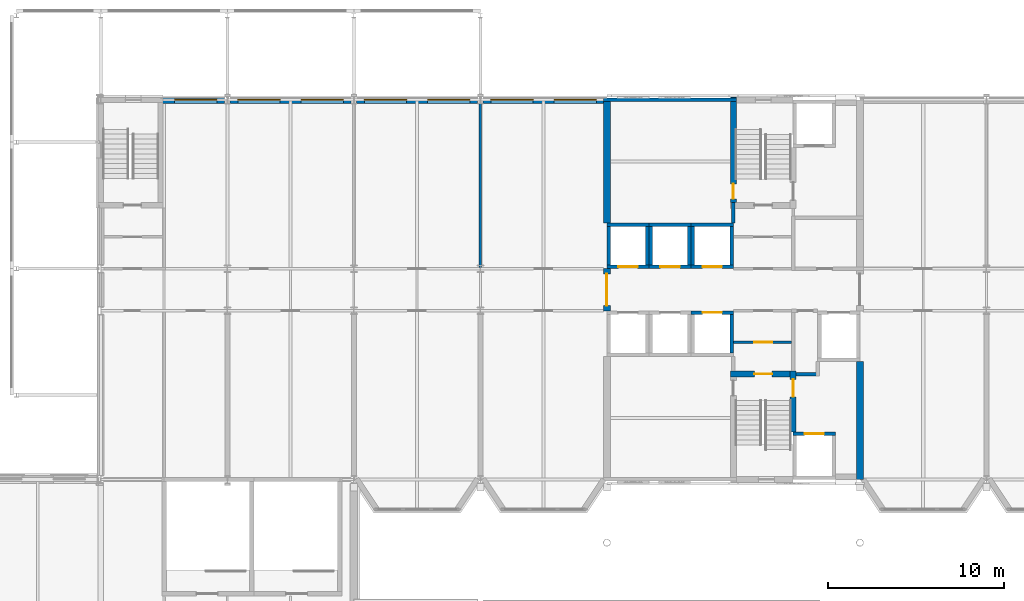
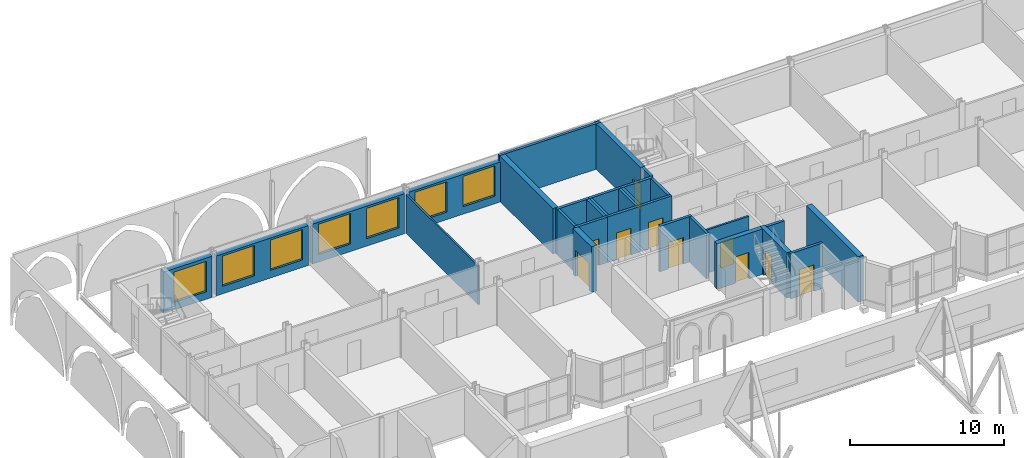
# One storey, part 98 of 142: 30 walls, 10 doors, 7 windows, 17 openings.
"""IFC4 building model written with IfcOpenShell, lengths in metres."""

import ifcopenshell
import ifcopenshell.guid

model = None  # the IFC model being written
_history = None  # IfcOwnerHistory: only IFC2X3 demands one
_inside = {}  # id of a spatial element -> (the spatial element, [elements in it])
_under = {}  # id of a project, library or spatial element -> (it, [spatial elements below it])
_declared = {}  # id of a project -> (the project, [libraries it declares])
_typed = {}  # id of a type object -> (the type object, [elements of that type])
_made_of = {}  # id of a material, layer set ... -> (it, [elements and type objects made of it])


def new_model(schema):
    """Start an empty IFC model of exactly this schema.

    Asked for "IFC4X3", IfcOpenShell would pick the latest addendum, in which some entities
    have other attributes; the version numbers below select the first issue.
    IFC2X3 requires an IfcOwnerHistory on every rooted entity: one is made here for all.
    """
    global model, _history
    if schema == "IFC4X3":
        model = ifcopenshell.file(schema_version=(4, 3, 0, 0))
    else:
        model = ifcopenshell.file(schema=schema)
    _inside.clear()
    _under.clear()
    _declared.clear()
    _typed.clear()
    _made_of.clear()
    _history = None
    if model.schema == "IFC2X3":
        org = make("IfcOrganization", Name="unknown")
        user = make(
            "IfcPersonAndOrganization",
            ThePerson=make("IfcPerson", FamilyName="unknown"),
            TheOrganization=org,
        )
        app = make(
            "IfcApplication",
            ApplicationDeveloper=org,
            Version="unknown",
            ApplicationFullName="unknown",
            ApplicationIdentifier="unknown",
        )
        _history = make(
            "IfcOwnerHistory",
            OwningUser=user,
            OwningApplication=app,
            ChangeAction="ADDED",
            CreationDate=0,
        )
    return model


def make(cls, **values):
    """One entity of the class cls with the attributes given. An attribute that is None is left unset."""
    return model.create_entity(
        cls, **{name: value for name, value in values.items() if value is not None}
    )


def rooted(cls, **values):
    """An entity with a GlobalId (a new one), such as an element, a storey or a relation."""
    return make(cls, GlobalId=ifcopenshell.guid.new(), OwnerHistory=_history, **values)


def si_unit(unit_type, name, prefix=None):
    """IfcSIUnit, for example si_unit("LENGTHUNIT", "METRE", prefix="MILLI")."""
    return make("IfcSIUnit", UnitType=unit_type, Prefix=prefix, Name=name)


def assignment(units):
    """IfcUnitAssignment: the units of a project."""
    return None if units is None else make("IfcUnitAssignment", Units=units)


def point(xyz):
    """IfcCartesianPoint."""
    return None if xyz is None else make("IfcCartesianPoint", Coordinates=xyz)


def direction(xyz):
    """IfcDirection."""
    return None if xyz is None else make("IfcDirection", DirectionRatios=xyz)


def frame(location, z_axis=None, x_axis=None):
    """IfcAxis2Placement3D, a coordinate frame: its origin and axes. An axis left out is left unset."""
    return make(
        "IfcAxis2Placement3D",
        Location=point(location),
        Axis=direction(z_axis),
        RefDirection=direction(x_axis),
    )


def frame_2d(location, x_axis=None):
    """IfcAxis2Placement2D, a coordinate frame in the plane: its origin and x axis."""
    return make(
        "IfcAxis2Placement2D", Location=point(location), RefDirection=direction(x_axis)
    )


def origin():
    """The frame at (0, 0, 0) with its axes left unset."""
    return frame((0.0, 0.0, 0.0))


def place(relative_to, where):
    """IfcLocalPlacement: puts the frame where relative to a parent placement (None: the world)."""
    return make(
        "IfcLocalPlacement", PlacementRelTo=relative_to, RelativePlacement=where
    )


def context(
    kind, dimensions, precision=None, world=None, true_north=None, identifier=None
):
    """IfcGeometricRepresentationContext, for example the 3D "Model" context."""
    return make(
        "IfcGeometricRepresentationContext",
        ContextIdentifier=identifier,
        ContextType=kind,
        CoordinateSpaceDimension=dimensions,
        Precision=precision,
        WorldCoordinateSystem=world,
        TrueNorth=true_north,
    )


def subcontext(parent, identifier, kind, view, scale=None):
    """IfcGeometricRepresentationSubContext, for example "Body" below "Model"."""
    return make(
        "IfcGeometricRepresentationSubContext",
        ContextIdentifier=identifier,
        ContextType=kind,
        ParentContext=parent,
        TargetScale=scale,
        TargetView=view,
    )


def project(units=None, contexts=None):
    """IfcProject with its units and contexts."""
    return rooted(
        "IfcProject",
        Name="project",
        RepresentationContexts=contexts,
        UnitsInContext=assignment(units),
    )


def spatial(cls, under=None, at=None, **own):
    """A site, building, storey or space (cls), placed at a placement, below another one or the project."""
    s = rooted(cls, ObjectPlacement=at, **own)
    if under is not None:
        _under.setdefault(under.id(), (under, []))[1].append(s)
    return s


def profile(cls, at=None, kind="AREA", **sizes):
    """A parametric profile (cls). Its sizes go by their IFC names, for example OverallWidth=200.0."""
    return make(cls, ProfileType=kind, Position=at, **sizes)


def rectangle(**sizes):
    """IfcRectangleProfileDef."""
    return profile("IfcRectangleProfileDef", **sizes)


def extrude(swept, where, along, depth):
    """IfcExtrudedAreaSolid: the profile swept, set in the frame where, extruded along a direction by depth."""
    return make(
        "IfcExtrudedAreaSolid",
        SweptArea=swept,
        Position=where,
        ExtrudedDirection=direction(along),
        Depth=depth,
    )


def shape(context_of_items, identifier, shape_type, items):
    """IfcShapeRepresentation: the items that make up one representation, for example the "Body"."""
    return make(
        "IfcShapeRepresentation",
        ContextOfItems=context_of_items,
        RepresentationIdentifier=identifier,
        RepresentationType=shape_type,
        Items=items,
    )


def material(Name=None, Category=None):
    """IfcMaterial."""
    return make("IfcMaterial", Name=Name, Category=Category)


def layer(
    of_material, thickness, ventilated=None, Name=None, Category=None, Priority=None
):
    """IfcMaterialLayer: one layer of a wall or slab, of a material (None: an air gap)."""
    return make(
        "IfcMaterialLayer",
        Material=of_material,
        LayerThickness=thickness,
        IsVentilated=ventilated,
        Name=Name,
        Category=Category,
        Priority=Priority,
    )


def layer_set(layers, Name=None):
    """IfcMaterialLayerSet."""
    return make("IfcMaterialLayerSet", MaterialLayers=layers, LayerSetName=Name)


def made_of(thing, what):
    """Note that an element or type object is made of a material, layer set ...; save() writes the relation."""
    if what is not None:
        _made_of.setdefault(what.id(), (what, []))[1].append(thing)
    return thing


def type_object(cls, material=None, **own):
    """A type object (cls), such as IfcWallType, which elements share."""
    return made_of(rooted(cls, **own), material)


def element(
    cls,
    number,
    at=None,
    inside=None,
    cuts=None,
    type_object=None,
    material=None,
    context=None,
    identifier="Body",
    shape_type=None,
    held_by="IfcProductDefinitionShape",
    body=None,
    shapes=None,
    **own,
):
    """One element of the class cls, such as IfcWall. Its Tag is "e" and its number.

    at: its placement. inside: the storey or other place that contains it. cuts: it is an
    opening in that element (IfcRelVoidsElement). A single representation is given by context,
    identifier, shape_type and body (its items); several are given by shapes. held_by: the class
    of the entity that holds the representations. save() writes the other relations.
    """
    e = rooted(cls, Tag="e%d" % number, ObjectPlacement=at, **own)
    if body is not None:
        shapes = [shape(context, identifier, shape_type, body)]
    if shapes is not None:
        e.Representation = make(held_by, Representations=shapes)
    if inside is not None:
        _inside.setdefault(inside.id(), (inside, []))[1].append(e)
    if cuts is not None:
        rooted(
            "IfcRelVoidsElement", RelatingBuildingElement=cuts, RelatedOpeningElement=e
        )
    if type_object is not None:
        _typed.setdefault(type_object.id(), (type_object, []))[1].append(e)
    return made_of(e, material)


def fill(opening, filler):
    """IfcRelFillsElement: the door or window that sits in an opening."""
    return rooted(
        "IfcRelFillsElement",
        RelatingOpeningElement=opening,
        RelatedBuildingElement=filler,
    )


def aggregate(whole, parts):
    """IfcRelAggregates: a whole, such as a stair, and the parts it consists of."""
    return rooted("IfcRelAggregates", RelatingObject=whole, RelatedObjects=parts)


def save(model, path):
    """Write the relations noted so far, then the file.

    IfcRelAggregates (storeys below a building ...), IfcRelContainedInSpatialStructure (elements
    in a storey), IfcRelDefinesByType, IfcRelAssociatesMaterial and IfcRelDeclares: one each for
    every whole, place, type object, material and project.
    """
    for whole, parts in _under.values():
        aggregate(whole, parts)
    for where, things in _inside.values():
        rooted(
            "IfcRelContainedInSpatialStructure",
            RelatedElements=things,
            RelatingStructure=where,
        )
    for kind, things in _typed.values():
        rooted("IfcRelDefinesByType", RelatedObjects=things, RelatingType=kind)
    for what, things in _made_of.values():
        rooted("IfcRelAssociatesMaterial", RelatedObjects=things, RelatingMaterial=what)
    for by, libraries in _declared.values():
        rooted("IfcRelDeclares", RelatingContext=by, RelatedDefinitions=libraries)
    model.write(path)


model = new_model("IFC4")

# Units and contexts
model_context = context("Model", 3, precision=1e-05, world=origin(), true_north=direction((0.0, 1.0)))
body_context = subcontext(model_context, "Body", "Model", "MODEL_VIEW")
ifc_project = project(units=[si_unit("LENGTHUNIT", "METRE"), si_unit("AREAUNIT", "SQUARE_METRE"), si_unit("VOLUMEUNIT", "CUBIC_METRE"), si_unit("PLANEANGLEUNIT", "RADIAN"), si_unit("MASSUNIT", "GRAM", prefix="KILO")], contexts=[model_context])

# Site, building, storey
site_placement = place(None, origin())
site = spatial("IfcSite", under=ifc_project, at=site_placement, CompositionType="ELEMENT")
building_placement = place(site_placement, origin())
building = spatial("IfcBuilding", under=site, at=building_placement, Name="Kupolbacken Congress Centre", CompositionType="ELEMENT")
storey_placement = place(building_placement, frame((0.0, 0.0, 14.39990234375)))
storey = spatial("IfcBuildingStorey", under=building, at=storey_placement, Name="L04", CompositionType="ELEMENT", Elevation=14.39990234375)

# Wall, openings, windows
ifc_material_1 = material(Name="Limestone", Category="masonry")
ifc_layer_1 = layer(ifc_material_1, 0.1201171875)
ifc_material_2 = material(Name="Air cavity", Category="air")
ifc_layer_2 = layer(ifc_material_2, 0.0400390625, ventilated=True)
ifc_material_3 = material(Name="Mineral wool", Category="insulation")
ifc_layer_3 = layer(ifc_material_3, 0.169921875)
ifc_material_4 = material(Name="Steel studs", Category="metal")
ifc_layer_4 = layer(ifc_material_4, 0.050048828125)
ifc_layer_set_1 = layer_set([ifc_layer_1, ifc_layer_2, ifc_layer_3, ifc_layer_4], Name="Limestone / Mineral wool / Steel studs")
wall_type_1 = type_object("IfcWallType", Name="EW03 external cavity wall 380", PredefinedType="SOLIDWALL", material=ifc_layer_set_1)
wall_1_placement = place(storey_placement, frame((93.60009765625, 144.0, 0.0), z_axis=(0.0, 0.0, 1.0), x_axis=(-1.0, 0.0, 0.0)))
wall_1 = element("IfcWall", 1, at=wall_1_placement, inside=storey, type_object=wall_type_1, Name="E/T/N/L04/052", PredefinedType="SOLIDWALL", context=body_context, shape_type="SweptSolid", body=[
    extrude(rectangle(XDim=7.046630859375, YDim=0.3798828125, at=frame_2d((3.5234375, 0.0))), origin(), (0.0, 0.0, 1.0), 3.16015625),
])
opening_1_placement = place(wall_1_placement, frame((4.199951171875, 0.0, 0.60009765625)))
opening_1 = element("IfcOpeningElement", 2, at=opening_1_placement, cuts=wall_1, Name="Opening W30", PredefinedType="OPENING", context=body_context, shape_type="SweptSolid", body=[
    extrude(rectangle(XDim=2.39990234375, YDim=2.39990234375, at=frame_2d((1.199951171875, 1.199951171875))), frame((0.0, 0.199951171875, 0.0), z_axis=(0.0, -1.0, 0.0), x_axis=(1.0, 0.0, 0.0)), (0.0, 0.0, 1.0), 0.39990234375),
])
opening_2_placement = place(wall_1_placement, frame((0.60009765625, 0.0, 0.60009765625)))
opening_2 = element("IfcOpeningElement", 3, at=opening_2_placement, cuts=wall_1, Name="Opening W30", PredefinedType="OPENING", context=body_context, shape_type="SweptSolid", body=[
    extrude(rectangle(XDim=2.39990234375, YDim=2.39990234375, at=frame_2d((1.199951171875, 1.199951171875))), frame((0.0, 0.199951171875, 0.0), z_axis=(0.0, -1.0, 0.0), x_axis=(1.0, 0.0, 0.0)), (0.0, 0.0, 1.0), 0.39990234375),
])
ifc_material_5 = material(Name="Aluminium frame with double or triple glazing", Category="aluminium")
window_type = type_object("IfcWindowType", Name="W30 window 2400x2400", PartitioningType="DOUBLE_PANEL_VERTICAL", PredefinedType="WINDOW", material=ifc_material_5)
window_1_placement = place(opening_1_placement, origin())
window_1 = element("IfcWindow", 4, at=window_1_placement, inside=storey, type_object=window_type, Name="E/T/N/L04/052/W1", OverallHeight=2.39990234375, OverallWidth=2.39990234375, PartitioningType="SINGLE_PANEL", PredefinedType="WINDOW", context=body_context, shape_type="SweptSolid", body=[
    extrude(rectangle(XDim=2.39990234375, YDim=2.39990234375, at=frame_2d((1.199951171875, 1.199951171875))), frame((0.0, 0.030029296875, 0.0), z_axis=(0.0, -1.0, 0.0), x_axis=(1.0, 0.0, 0.0)), (0.0, 0.0, 1.0), 0.06005859375),
])
fill(opening_1, window_1)
window_2_placement = place(opening_2_placement, origin())
window_2 = element("IfcWindow", 5, at=window_2_placement, inside=storey, type_object=window_type, Name="E/T/N/L04/052/W2", OverallHeight=2.39990234375, OverallWidth=2.39990234375, PartitioningType="SINGLE_PANEL", PredefinedType="WINDOW", context=body_context, shape_type="SweptSolid", body=[
    extrude(rectangle(XDim=2.39990234375, YDim=2.39990234375, at=frame_2d((1.199951171875, 1.199951171875))), frame((0.0, 0.030029296875, 0.0), z_axis=(0.0, -1.0, 0.0), x_axis=(1.0, 0.0, 0.0)), (0.0, 0.0, 1.0), 0.06005859375),
])
fill(opening_2, window_2)

wall_2_placement = place(storey_placement, frame((86.24658203125, 144.0, 0.0), z_axis=(0.0, 0.0, 1.0), x_axis=(-1.0, 0.0, 0.0)))
wall_2 = element("IfcWall", 6, at=wall_2_placement, inside=storey, type_object=wall_type_1, Name="E/T/N/L04/053", PredefinedType="SOLIDWALL", context=body_context, shape_type="SweptSolid", body=[
    extrude(rectangle(XDim=6.89306640625, YDim=0.3798828125, at=frame_2d((3.446533203125, 0.0))), origin(), (0.0, 0.0, 1.0), 3.16015625),
])
opening_3_placement = place(wall_2_placement, frame((4.04638671875, 0.0, 0.60009765625)))
opening_3 = element("IfcOpeningElement", 7, at=opening_3_placement, cuts=wall_2, Name="Opening W30", PredefinedType="OPENING", context=body_context, shape_type="SweptSolid", body=[
    extrude(rectangle(XDim=2.39990234375, YDim=2.39990234375, at=frame_2d((1.199951171875, 1.199951171875))), frame((0.0, 0.199951171875, 0.0), z_axis=(0.0, -1.0, 0.0), x_axis=(1.0, 0.0, 0.0)), (0.0, 0.0, 1.0), 0.39990234375),
])
opening_4_placement = place(wall_2_placement, frame((0.446533203125, 0.0, 0.60009765625)))
opening_4 = element("IfcOpeningElement", 8, at=opening_4_placement, cuts=wall_2, Name="Opening W30", PredefinedType="OPENING", context=body_context, shape_type="SweptSolid", body=[
    extrude(rectangle(XDim=2.39990234375, YDim=2.39990234375, at=frame_2d((1.199951171875, 1.199951171875))), frame((0.0, 0.199951171875, 0.0), z_axis=(0.0, -1.0, 0.0), x_axis=(1.0, 0.0, 0.0)), (0.0, 0.0, 1.0), 0.39990234375),
])
window_3_placement = place(opening_3_placement, origin())
window_3 = element("IfcWindow", 9, at=window_3_placement, inside=storey, type_object=window_type, Name="E/T/N/L04/053/W1", OverallHeight=2.39990234375, OverallWidth=2.39990234375, PartitioningType="SINGLE_PANEL", PredefinedType="WINDOW", context=body_context, shape_type="SweptSolid", body=[
    extrude(rectangle(XDim=2.39990234375, YDim=2.39990234375, at=frame_2d((1.199951171875, 1.199951171875))), frame((0.0, 0.030029296875, 0.0), z_axis=(0.0, -1.0, 0.0), x_axis=(1.0, 0.0, 0.0)), (0.0, 0.0, 1.0), 0.06005859375),
])
fill(opening_3, window_3)
window_4_placement = place(opening_4_placement, origin())
window_4 = element("IfcWindow", 10, at=window_4_placement, inside=storey, type_object=window_type, Name="E/T/N/L04/053/W2", OverallHeight=2.39990234375, OverallWidth=2.39990234375, PartitioningType="SINGLE_PANEL", PredefinedType="WINDOW", context=body_context, shape_type="SweptSolid", body=[
    extrude(rectangle(XDim=2.39990234375, YDim=2.39990234375, at=frame_2d((1.199951171875, 1.199951171875))), frame((0.0, 0.030029296875, 0.0), z_axis=(0.0, -1.0, 0.0), x_axis=(1.0, 0.0, 0.0)), (0.0, 0.0, 1.0), 0.06005859375),
])
fill(opening_4, window_4)

wall_3_placement = place(storey_placement, frame((79.04638671875, 144.0, 0.0), z_axis=(0.0, 0.0, 1.0), x_axis=(-1.0, 0.0, 0.0)))
wall_3 = element("IfcWall", 11, at=wall_3_placement, inside=storey, type_object=wall_type_1, Name="E/T/N/L04/054", PredefinedType="SOLIDWALL", context=body_context, shape_type="SweptSolid", body=[
    extrude(rectangle(XDim=6.892822265625, YDim=0.3798828125, at=frame_2d((3.4462890625, 0.0))), origin(), (0.0, 0.0, 1.0), 3.16015625),
])
opening_5_placement = place(wall_3_placement, frame((4.04638671875, 0.0, 0.60009765625)))
opening_5 = element("IfcOpeningElement", 12, at=opening_5_placement, cuts=wall_3, Name="Opening W30", PredefinedType="OPENING", context=body_context, shape_type="SweptSolid", body=[
    extrude(rectangle(XDim=2.39990234375, YDim=2.39990234375, at=frame_2d((1.199951171875, 1.199951171875))), frame((0.0, 0.199951171875, 0.0), z_axis=(0.0, -1.0, 0.0), x_axis=(1.0, 0.0, 0.0)), (0.0, 0.0, 1.0), 0.39990234375),
])
opening_6_placement = place(wall_3_placement, frame((0.446533203125, 0.0, 0.60009765625)))
opening_6 = element("IfcOpeningElement", 13, at=opening_6_placement, cuts=wall_3, Name="Opening W30", PredefinedType="OPENING", context=body_context, shape_type="SweptSolid", body=[
    extrude(rectangle(XDim=2.39990234375, YDim=2.39990234375, at=frame_2d((1.199951171875, 1.199951171875))), frame((0.0, 0.199951171875, 0.0), z_axis=(0.0, -1.0, 0.0), x_axis=(1.0, 0.0, 0.0)), (0.0, 0.0, 1.0), 0.39990234375),
])
window_5_placement = place(opening_5_placement, origin())
window_5 = element("IfcWindow", 14, at=window_5_placement, inside=storey, type_object=window_type, Name="E/T/N/L04/054/W1", OverallHeight=2.39990234375, OverallWidth=2.39990234375, PartitioningType="SINGLE_PANEL", PredefinedType="WINDOW", context=body_context, shape_type="SweptSolid", body=[
    extrude(rectangle(XDim=2.39990234375, YDim=2.39990234375, at=frame_2d((1.199951171875, 1.199951171875))), frame((0.0, 0.030029296875, 0.0), z_axis=(0.0, -1.0, 0.0), x_axis=(1.0, 0.0, 0.0)), (0.0, 0.0, 1.0), 0.06005859375),
])
fill(opening_5, window_5)
window_6_placement = place(opening_6_placement, origin())
window_6 = element("IfcWindow", 15, at=window_6_placement, inside=storey, type_object=window_type, Name="E/T/N/L04/054/W2", OverallHeight=2.39990234375, OverallWidth=2.39990234375, PartitioningType="SINGLE_PANEL", PredefinedType="WINDOW", context=body_context, shape_type="SweptSolid", body=[
    extrude(rectangle(XDim=2.39990234375, YDim=2.39990234375, at=frame_2d((1.199951171875, 1.199951171875))), frame((0.0, 0.030029296875, 0.0), z_axis=(0.0, -1.0, 0.0), x_axis=(1.0, 0.0, 0.0)), (0.0, 0.0, 1.0), 0.06005859375),
])
fill(opening_6, window_6)

# Wall, opening, window
wall_4_placement = place(storey_placement, frame((71.846435546875, 144.0, 0.0), z_axis=(0.0, 0.0, 1.0), x_axis=(-1.0, 0.0, 0.0)))
wall_4 = element("IfcWall", 16, at=wall_4_placement, inside=storey, type_object=wall_type_1, Name="E/T/N/L04/055", PredefinedType="SOLIDWALL", context=body_context, shape_type="SweptSolid", body=[
    extrude(rectangle(XDim=3.646484375, YDim=0.3798828125, at=frame_2d((1.8232421875, 0.0))), origin(), (0.0, 0.0, 1.0), 3.260009765625),
])
opening_7_placement = place(wall_4_placement, frame((0.446533203125, 0.0, 0.60009765625)))
opening_7 = element("IfcOpeningElement", 17, at=opening_7_placement, cuts=wall_4, Name="Opening W30", PredefinedType="OPENING", context=body_context, shape_type="SweptSolid", body=[
    extrude(rectangle(XDim=2.39990234375, YDim=2.39990234375, at=frame_2d((1.199951171875, 1.199951171875))), frame((0.0, 0.199951171875, 0.0), z_axis=(0.0, -1.0, 0.0), x_axis=(1.0, 0.0, 0.0)), (0.0, 0.0, 1.0), 0.39990234375),
])
window_7_placement = place(opening_7_placement, origin())
window_7 = element("IfcWindow", 18, at=window_7_placement, inside=storey, type_object=window_type, Name="E/T/N/L04/055/W1", OverallHeight=2.39990234375, OverallWidth=2.39990234375, PartitioningType="SINGLE_PANEL", PredefinedType="WINDOW", context=body_context, shape_type="SweptSolid", body=[
    extrude(rectangle(XDim=2.39990234375, YDim=2.39990234375, at=frame_2d((1.199951171875, 1.199951171875))), frame((0.0, 0.030029296875, 0.0), z_axis=(0.0, -1.0, 0.0), x_axis=(1.0, 0.0, 0.0)), (0.0, 0.0, 1.0), 0.06005859375),
])
fill(opening_7, window_7)

# Wall
ifc_material_6 = material(Name="Gypsum board", Category="drywall")
ifc_layer_5 = layer(ifc_material_6, 0.135009765625)
ifc_layer_set_2 = layer_set([ifc_layer_5], Name="Gypsum board")
wall_type_2 = type_object("IfcWallType", Name="P06 compartment wall 135", PredefinedType="PARTITIONING", material=ifc_layer_set_2)
wall_5_placement = place(storey_placement, frame((86.39990234375, 134.467529296875, 0.0), z_axis=(0.0, 0.0, 1.0), x_axis=(0.0, 1.0, 0.0)))
element("IfcWall", 19, at=wall_5_placement, inside=storey, type_object=wall_type_2, Name="T/wall/L04/y/8640/13440", PredefinedType="PARTITIONING", context=body_context, shape_type="SweptSolid", body=[
    extrude(rectangle(XDim=9.342529296875, YDim=0.135009765625, at=frame_2d((4.67138671875, 0.0))), origin(), (0.0, 0.0, 1.0), 3.06005859375),
])

# Wall, opening, door
ifc_material_7 = material(Name="Aerated concrete block", Category="masonry")
ifc_layer_6 = layer(ifc_material_7, 0.139892578125)
ifc_layer_set_3 = layer_set([ifc_layer_6], Name="Aerated concrete block")
wall_type_3 = type_object("IfcWallType", Name="P14 compartment wall 140", PredefinedType="PARTITIONING", material=ifc_layer_set_3)
wall_6_placement = place(storey_placement, frame((100.800048828125, 130.199951171875, 0.0), z_axis=(0.0, 0.0, 1.0), x_axis=(1.0, 0.0, 0.0)))
wall_6 = element("IfcWall", 20, at=wall_6_placement, inside=storey, type_object=wall_type_3, Name="T/wall/L04/x/13020/10080", PredefinedType="PARTITIONING", context=body_context, shape_type="SweptSolid", body=[
    extrude(rectangle(XDim=3.300048828125, YDim=0.139892578125, at=frame_2d((1.64990234375, 0.0))), origin(), (0.0, 0.0, 1.0), 3.420166015625),
])
opening_8_placement = place(wall_6_placement, frame((1.199951171875, 0.0, 0.0)))
opening_8 = element("IfcOpeningElement", 21, at=opening_8_placement, cuts=wall_6, Name="Opening D5", PredefinedType="OPENING", context=body_context, shape_type="SweptSolid", body=[
    extrude(rectangle(XDim=1.0, YDim=2.10009765625, at=frame_2d((0.5, 1.050048828125))), frame((0.0, 0.079833984375, 0.0), z_axis=(0.0, -1.0, 0.0), x_axis=(1.0, 0.0, 0.0)), (0.0, 0.0, 1.0), 0.159912109375),
])
ifc_material_8 = material(Name="Steel fire door leaf", Category="steel")
door_type_1 = type_object("IfcDoorType", Name="D5 stair door 1000x2100", OperationType="SINGLE_SWING_LEFT", PredefinedType="DOOR", material=ifc_material_8)
door_1_placement = place(opening_8_placement, frame((1.0, 0.0, 0.0), z_axis=(0.0, 0.0, 1.0), x_axis=(-1.0, 0.0, 0.0)))
door_1 = element("IfcDoor", 22, at=door_1_placement, inside=storey, type_object=door_type_1, Name="T/wall/L04/x/13020/10080/D-TS1-LK2", OperationType="SINGLE_SWING_RIGHT", OverallHeight=2.10009765625, OverallWidth=1.0, PredefinedType="DOOR", context=body_context, shape_type="SweptSolid", body=[
    extrude(rectangle(XDim=1.0, YDim=2.10009765625, at=frame_2d((0.5, 1.050048828125))), frame((0.0, 0.02490234375, 0.0), z_axis=(0.0, -1.0, 0.0), x_axis=(1.0, 0.0, 0.0)), (0.0, 0.0, 1.0), 0.050048828125),
])
fill(opening_8, door_1)

# Walls
ifc_material_9 = material(Name="Concrete C40/50", Category="concrete")
ifc_layer_7 = layer(ifc_material_9, 0.199951171875)
ifc_layer_set_4 = layer_set([ifc_layer_7], Name="Concrete C40/50")
wall_type_4 = type_object("IfcWallType", Name="WC1 RC shaft wall 200", PredefinedType="SHEAR", material=ifc_layer_set_4)
wall_7_placement = place(storey_placement, frame((104.375, 128.39990234375, 0.0), z_axis=(0.0, 0.0, 1.0), x_axis=(1.0, 0.0, 0.0)))
element("IfcWall", 23, at=wall_7_placement, inside=storey, type_object=wall_type_4, Name="Shaft wall L04-093", PredefinedType="SHEAR", context=body_context, shape_type="SweptSolid", body=[
    extrude(rectangle(XDim=1.324951171875, YDim=0.199951171875, at=frame_2d((0.66259765625, 0.0))), origin(), (0.0, 0.0, 1.0), 3.60009765625),
])
wall_8_placement = place(storey_placement, frame((100.800048828125, 137.0, 0.0), z_axis=(0.0, 0.0, 1.0), x_axis=(0.0, 1.0, 0.0)))
element("IfcWall", 24, at=wall_8_placement, inside=storey, type_object=wall_type_4, Name="Shaft wall L04-114", PredefinedType="SHEAR", context=body_context, shape_type="SweptSolid", body=[
    extrude(rectangle(XDim=1.175048828125, YDim=0.199951171875, at=frame_2d((0.58740234375, 0.0))), origin(), (0.0, 0.0, 1.0), 3.60009765625),
])
wall_9_placement = place(storey_placement, frame((100.97509765625, 144.0, 0.0), z_axis=(0.0, 0.0, 1.0), x_axis=(-1.0, 0.0, 0.0)))
element("IfcWall", 25, at=wall_9_placement, inside=storey, type_object=wall_type_4, Name="Shaft wall L04-128", PredefinedType="SHEAR", context=body_context, shape_type="SweptSolid", body=[
    extrude(rectangle(XDim=7.5751953125, YDim=0.199951171875, at=frame_2d((3.78759765625, 0.0))), origin(), (0.0, 0.0, 1.0), 3.60009765625),
])

# Wall, opening, door
wall_10_placement = place(storey_placement, frame((98.39990234375, 131.89990234375, 0.0), z_axis=(0.0, 0.0, 1.0), x_axis=(1.0, 0.0, 0.0)))
wall_10 = element("IfcWall", 26, at=wall_10_placement, inside=storey, type_object=wall_type_4, Name="Shaft wall LP11", PredefinedType="SHEAR", context=body_context, shape_type="SweptSolid", body=[
    extrude(rectangle(XDim=2.400146484375, YDim=0.199951171875, at=frame_2d((1.2001953125, 0.0))), origin(), (0.0, 0.0, 1.0), 3.60009765625),
])
opening_9_placement = place(wall_10_placement, frame((0.64990234375, 0.0, 0.0)))
opening_9 = element("IfcOpeningElement", 27, at=opening_9_placement, cuts=wall_10, Name="Opening LD2", PredefinedType="OPENING", context=body_context, shape_type="SweptSolid", body=[
    extrude(rectangle(XDim=1.10009765625, YDim=2.10009765625, at=frame_2d((0.550048828125, 1.050048828125))), frame((0.0, 0.10986328125, 0.0), z_axis=(0.0, -1.0, 0.0), x_axis=(1.0, 0.0, 0.0)), (0.0, 0.0, 1.0), 0.219970703125),
])
ifc_material_10 = material(Name="Stainless steel door leaf", Category="steel")
door_type_2 = type_object("IfcDoorType", Name="LD2 lift landing door 1100x2100", OperationType="SLIDING_TO_LEFT", PredefinedType="DOOR", material=ifc_material_10)
door_2_placement = place(opening_9_placement, origin())
door_2 = element("IfcDoor", 28, at=door_2_placement, inside=storey, type_object=door_type_2, Name="Lift landing door LP11", OperationType="SLIDING_TO_LEFT", OverallHeight=2.10009765625, OverallWidth=1.10009765625, PredefinedType="DOOR", context=body_context, shape_type="SweptSolid", body=[
    extrude(rectangle(XDim=1.10009765625, YDim=2.10009765625, at=frame_2d((0.550048828125, 1.050048828125))), frame((0.0, 0.02490234375, 0.0), z_axis=(0.0, -1.0, 0.0), x_axis=(1.0, 0.0, 0.0)), (0.0, 0.0, 1.0), 0.050048828125),
])
fill(opening_9, door_2)

# Wall
wall_11_placement = place(storey_placement, frame((100.699951171875, 129.60009765625, 0.0), z_axis=(0.0, 0.0, 1.0), x_axis=(0.0, 1.0, 0.0)))
element("IfcWall", 29, at=wall_11_placement, inside=storey, type_object=wall_type_4, Name="Shaft wall LP11", PredefinedType="SHEAR", context=body_context, shape_type="SweptSolid", body=[
    extrude(rectangle(XDim=2.199951171875, YDim=0.199951171875, at=frame_2d((1.10009765625, 0.0))), origin(), (0.0, 0.0, 1.0), 3.60009765625),
])

# Wall, opening, door
wall_12_placement = place(storey_placement, frame((93.60009765625, 134.5, 0.0), z_axis=(0.0, 0.0, 1.0), x_axis=(1.0, 0.0, 0.0)))
wall_12 = element("IfcWall", 30, at=wall_12_placement, inside=storey, type_object=wall_type_4, Name="Shaft wall LP12", PredefinedType="SHEAR", context=body_context, shape_type="SweptSolid", body=[
    extrude(rectangle(XDim=2.39990234375, YDim=0.199951171875, at=frame_2d((1.199951171875, 0.0))), origin(), (0.0, 0.0, 1.0), 3.60009765625),
])
opening_10_placement = place(wall_12_placement, frame((0.64990234375, 0.0, 0.0)))
opening_10 = element("IfcOpeningElement", 31, at=opening_10_placement, cuts=wall_12, Name="Opening LD2", PredefinedType="OPENING", context=body_context, shape_type="SweptSolid", body=[
    extrude(rectangle(XDim=1.10009765625, YDim=2.10009765625, at=frame_2d((0.550048828125, 1.050048828125))), frame((0.0, 0.10986328125, 0.0), z_axis=(0.0, -1.0, 0.0), x_axis=(1.0, 0.0, 0.0)), (0.0, 0.0, 1.0), 0.219970703125),
])
door_3_placement = place(opening_10_placement, origin())
door_3 = element("IfcDoor", 32, at=door_3_placement, inside=storey, type_object=door_type_2, Name="Lift landing door LP12", OperationType="SLIDING_TO_LEFT", OverallHeight=2.10009765625, OverallWidth=1.10009765625, PredefinedType="DOOR", context=body_context, shape_type="SweptSolid", body=[
    extrude(rectangle(XDim=1.10009765625, YDim=2.10009765625, at=frame_2d((0.550048828125, 1.050048828125))), frame((0.0, 0.02490234375, 0.0), z_axis=(0.0, -1.0, 0.0), x_axis=(1.0, 0.0, 0.0)), (0.0, 0.0, 1.0), 0.050048828125),
])
fill(opening_10, door_3)

# Walls
wall_13_placement = place(storey_placement, frame((93.60009765625, 136.89990234375, 0.0), z_axis=(0.0, 0.0, 1.0), x_axis=(1.0, 0.0, 0.0)))
element("IfcWall", 33, at=wall_13_placement, inside=storey, type_object=wall_type_4, Name="Shaft wall LP12", PredefinedType="SHEAR", context=body_context, shape_type="SweptSolid", body=[
    extrude(rectangle(XDim=2.39990234375, YDim=0.199951171875, at=frame_2d((1.199951171875, 0.0))), origin(), (0.0, 0.0, 1.0), 3.60009765625),
])
for number, where, z_axis, x_axis, name in (
    (34, (93.699951171875, 134.60009765625, 0.0), (0.0, 0.0, 1.0), (0.0, 1.0, 0.0), "Shaft wall LP12"),
    (35, (95.89990234375, 134.60009765625, 0.0), (0.0, 0.0, 1.0), (0.0, 1.0, 0.0), "Shaft wall LP12"),
):
    element("IfcWall", number, at=place(storey_placement, frame(where, z_axis=z_axis, x_axis=x_axis)), inside=storey, type_object=wall_type_4, Name=name, PredefinedType="SHEAR", context=body_context, shape_type="SweptSolid", body=[
        extrude(rectangle(XDim=2.199951171875, YDim=0.199951171875, at=frame_2d((1.10009765625, 0.0))), origin(), (0.0, 0.0, 1.0), 3.60009765625),
    ])

# Wall, opening, door
wall_14_placement = place(storey_placement, frame((96.0, 134.5, 0.0), z_axis=(0.0, 0.0, 1.0), x_axis=(1.0, 0.0, 0.0)))
wall_14 = element("IfcWall", 36, at=wall_14_placement, inside=storey, type_object=wall_type_4, Name="Shaft wall LP13", PredefinedType="SHEAR", context=body_context, shape_type="SweptSolid", body=[
    extrude(rectangle(XDim=2.39990234375, YDim=0.199951171875, at=frame_2d((1.199951171875, 0.0))), origin(), (0.0, 0.0, 1.0), 3.60009765625),
])
opening_11_placement = place(wall_14_placement, frame((0.64990234375, 0.0, 0.0)))
opening_11 = element("IfcOpeningElement", 37, at=opening_11_placement, cuts=wall_14, Name="Opening LD2", PredefinedType="OPENING", context=body_context, shape_type="SweptSolid", body=[
    extrude(rectangle(XDim=1.10009765625, YDim=2.10009765625, at=frame_2d((0.550048828125, 1.050048828125))), frame((0.0, 0.10986328125, 0.0), z_axis=(0.0, -1.0, 0.0), x_axis=(1.0, 0.0, 0.0)), (0.0, 0.0, 1.0), 0.219970703125),
])
door_4_placement = place(opening_11_placement, origin())
door_4 = element("IfcDoor", 38, at=door_4_placement, inside=storey, type_object=door_type_2, Name="Lift landing door LP13", OperationType="SLIDING_TO_LEFT", OverallHeight=2.10009765625, OverallWidth=1.10009765625, PredefinedType="DOOR", context=body_context, shape_type="SweptSolid", body=[
    extrude(rectangle(XDim=1.10009765625, YDim=2.10009765625, at=frame_2d((0.550048828125, 1.050048828125))), frame((0.0, 0.02490234375, 0.0), z_axis=(0.0, -1.0, 0.0), x_axis=(1.0, 0.0, 0.0)), (0.0, 0.0, 1.0), 0.050048828125),
])
fill(opening_11, door_4)

# Walls
wall_15_placement = place(storey_placement, frame((96.0, 136.89990234375, 0.0), z_axis=(0.0, 0.0, 1.0), x_axis=(1.0, 0.0, 0.0)))
element("IfcWall", 39, at=wall_15_placement, inside=storey, type_object=wall_type_4, Name="Shaft wall LP13", PredefinedType="SHEAR", context=body_context, shape_type="SweptSolid", body=[
    extrude(rectangle(XDim=2.39990234375, YDim=0.199951171875, at=frame_2d((1.199951171875, 0.0))), origin(), (0.0, 0.0, 1.0), 3.60009765625),
])
for number, where, z_axis, x_axis, name in (
    (40, (96.10009765625, 134.60009765625, 0.0), (0.0, 0.0, 1.0), (0.0, 1.0, 0.0), "Shaft wall LP13"),
    (41, (98.300048828125, 134.60009765625, 0.0), (0.0, 0.0, 1.0), (0.0, 1.0, 0.0), "Shaft wall LP13"),
):
    element("IfcWall", number, at=place(storey_placement, frame(where, z_axis=z_axis, x_axis=x_axis)), inside=storey, type_object=wall_type_4, Name=name, PredefinedType="SHEAR", context=body_context, shape_type="SweptSolid", body=[
        extrude(rectangle(XDim=2.199951171875, YDim=0.199951171875, at=frame_2d((1.10009765625, 0.0))), origin(), (0.0, 0.0, 1.0), 3.60009765625),
    ])

# Wall, opening, door
wall_16_placement = place(storey_placement, frame((98.39990234375, 134.5, 0.0), z_axis=(0.0, 0.0, 1.0), x_axis=(1.0, 0.0, 0.0)))
wall_16 = element("IfcWall", 42, at=wall_16_placement, inside=storey, type_object=wall_type_4, Name="Shaft wall LP14", PredefinedType="SHEAR", context=body_context, shape_type="SweptSolid", body=[
    extrude(rectangle(XDim=2.400146484375, YDim=0.199951171875, at=frame_2d((1.2001953125, 0.0))), origin(), (0.0, 0.0, 1.0), 3.60009765625),
])
opening_12_placement = place(wall_16_placement, frame((0.64990234375, 0.0, 0.0)))
opening_12 = element("IfcOpeningElement", 43, at=opening_12_placement, cuts=wall_16, Name="Opening LD2", PredefinedType="OPENING", context=body_context, shape_type="SweptSolid", body=[
    extrude(rectangle(XDim=1.10009765625, YDim=2.10009765625, at=frame_2d((0.550048828125, 1.050048828125))), frame((0.0, 0.10986328125, 0.0), z_axis=(0.0, -1.0, 0.0), x_axis=(1.0, 0.0, 0.0)), (0.0, 0.0, 1.0), 0.219970703125),
])
door_5_placement = place(opening_12_placement, origin())
door_5 = element("IfcDoor", 44, at=door_5_placement, inside=storey, type_object=door_type_2, Name="Lift landing door LP14", OperationType="SLIDING_TO_LEFT", OverallHeight=2.10009765625, OverallWidth=1.10009765625, PredefinedType="DOOR", context=body_context, shape_type="SweptSolid", body=[
    extrude(rectangle(XDim=1.10009765625, YDim=2.10009765625, at=frame_2d((0.550048828125, 1.050048828125))), frame((0.0, 0.02490234375, 0.0), z_axis=(0.0, -1.0, 0.0), x_axis=(1.0, 0.0, 0.0)), (0.0, 0.0, 1.0), 0.050048828125),
])
fill(opening_12, door_5)

# Walls
wall_17_placement = place(storey_placement, frame((98.39990234375, 136.89990234375, 0.0), z_axis=(0.0, 0.0, 1.0), x_axis=(1.0, 0.0, 0.0)))
element("IfcWall", 45, at=wall_17_placement, inside=storey, type_object=wall_type_4, Name="Shaft wall LP14", PredefinedType="SHEAR", context=body_context, shape_type="SweptSolid", body=[
    extrude(rectangle(XDim=2.400146484375, YDim=0.199951171875, at=frame_2d((1.2001953125, 0.0))), origin(), (0.0, 0.0, 1.0), 3.60009765625),
])
for number, where, z_axis, x_axis, name in (
    (46, (98.5, 134.60009765625, 0.0), (0.0, 0.0, 1.0), (0.0, 1.0, 0.0), "Shaft wall LP14"),
    (47, (100.699951171875, 134.60009765625, 0.0), (0.0, 0.0, 1.0), (0.0, 1.0, 0.0), "Shaft wall LP14"),
):
    element("IfcWall", number, at=place(storey_placement, frame(where, z_axis=z_axis, x_axis=x_axis)), inside=storey, type_object=wall_type_4, Name=name, PredefinedType="SHEAR", context=body_context, shape_type="SweptSolid", body=[
        extrude(rectangle(XDim=2.199951171875, YDim=0.199951171875, at=frame_2d((1.10009765625, 0.0))), origin(), (0.0, 0.0, 1.0), 3.60009765625),
    ])

# Wall, opening, door
wall_18_placement = place(storey_placement, frame((104.199951171875, 125.0, 0.0), z_axis=(0.0, 0.0, 1.0), x_axis=(1.0, 0.0, 0.0)))
wall_18 = element("IfcWall", 48, at=wall_18_placement, inside=storey, type_object=wall_type_4, Name="Shaft wall LF1", PredefinedType="SHEAR", context=body_context, shape_type="SweptSolid", body=[
    extrude(rectangle(XDim=2.400146484375, YDim=0.199951171875, at=frame_2d((1.2001953125, 0.0))), origin(), (0.0, 0.0, 1.0), 3.60009765625),
])
opening_13_placement = place(wall_18_placement, frame((0.64990234375, 0.0, 0.0)))
opening_13 = element("IfcOpeningElement", 49, at=opening_13_placement, cuts=wall_18, Name="Opening LD2", PredefinedType="OPENING", context=body_context, shape_type="SweptSolid", body=[
    extrude(rectangle(XDim=1.10009765625, YDim=2.10009765625, at=frame_2d((0.550048828125, 1.050048828125))), frame((0.0, 0.10986328125, 0.0), z_axis=(0.0, -1.0, 0.0), x_axis=(1.0, 0.0, 0.0)), (0.0, 0.0, 1.0), 0.219970703125),
])
door_6_placement = place(opening_13_placement, origin())
door_6 = element("IfcDoor", 50, at=door_6_placement, inside=storey, type_object=door_type_2, Name="Lift landing door LF1", OperationType="SLIDING_TO_LEFT", OverallHeight=2.10009765625, OverallWidth=1.10009765625, PredefinedType="DOOR", context=body_context, shape_type="SweptSolid", body=[
    extrude(rectangle(XDim=1.10009765625, YDim=2.10009765625, at=frame_2d((0.550048828125, 1.050048828125))), frame((0.0, 0.02490234375, 0.0), z_axis=(0.0, -1.0, 0.0), x_axis=(1.0, 0.0, 0.0)), (0.0, 0.0, 1.0), 0.050048828125),
])
fill(opening_13, door_6)

ifc_material_11 = material(Name="Concrete C40/50", Category="concrete")
ifc_layer_8 = layer(ifc_material_11, 0.35009765625)
ifc_layer_set_5 = layer_set([ifc_layer_8], Name="Concrete C40/50")
wall_type_5 = type_object("IfcWallType", Name="WC4 RC core wall 350", PredefinedType="SHEAR", material=ifc_layer_set_5)
wall_19_placement = place(storey_placement, frame((104.199951171875, 125.10009765625, 0.0), z_axis=(0.0, 0.0, 1.0), x_axis=(0.0, 1.0, 0.0)))
wall_19 = element("IfcWall", 51, at=wall_19_placement, inside=storey, type_object=wall_type_5, Name="Core wall L04-081", PredefinedType="SHEAR", context=body_context, shape_type="SweptSolid", body=[
    extrude(rectangle(XDim=3.474853515625, YDim=0.35009765625, at=frame_2d((1.7373046875, 0.0))), origin(), (0.0, 0.0, 1.0), 3.60009765625),
])
opening_14_placement = place(wall_19_placement, frame((2.0, 0.0, 0.0)))
opening_14 = element("IfcOpeningElement", 52, at=opening_14_placement, cuts=wall_19, Name="Opening D5", PredefinedType="OPENING", context=body_context, shape_type="SweptSolid", body=[
    extrude(rectangle(XDim=1.0, YDim=2.10009765625, at=frame_2d((0.5, 1.050048828125))), frame((0.0, 0.18505859375, 0.0), z_axis=(0.0, -1.0, 0.0), x_axis=(1.0, 0.0, 0.0)), (0.0, 0.0, 1.0), 0.3701171875),
])
door_7_placement = place(opening_14_placement, origin())
door_7 = element("IfcDoor", 53, at=door_7_placement, inside=storey, type_object=door_type_1, Name="S/core/L04/081/D-TFL1-A", OperationType="SINGLE_SWING_LEFT", OverallHeight=2.10009765625, OverallWidth=1.0, PredefinedType="DOOR", context=body_context, shape_type="SweptSolid", body=[
    extrude(rectangle(XDim=1.0, YDim=2.10009765625, at=frame_2d((0.5, 1.050048828125))), frame((0.0, 0.02490234375, 0.0), z_axis=(0.0, -1.0, 0.0), x_axis=(1.0, 0.0, 0.0)), (0.0, 0.0, 1.0), 0.050048828125),
])
fill(opening_14, door_7)

wall_20_placement = place(storey_placement, frame((104.375, 128.39990234375, 0.0), z_axis=(0.0, 0.0, 1.0), x_axis=(-1.0, 0.0, 0.0)))
wall_20 = element("IfcWall", 54, at=wall_20_placement, inside=storey, type_object=wall_type_5, Name="Core wall L04-092", PredefinedType="SHEAR", context=body_context, shape_type="SweptSolid", body=[
    extrude(rectangle(XDim=3.75, YDim=0.35009765625, at=frame_2d((1.875, 0.0))), origin(), (0.0, 0.0, 1.0), 3.60009765625),
])
opening_15_placement = place(wall_20_placement, frame((1.375, 0.0, 0.0)))
opening_15 = element("IfcOpeningElement", 55, at=opening_15_placement, cuts=wall_20, Name="Opening D5", PredefinedType="OPENING", context=body_context, shape_type="SweptSolid", body=[
    extrude(rectangle(XDim=1.0, YDim=2.10009765625, at=frame_2d((0.5, 1.050048828125))), frame((0.0, 0.18505859375, 0.0), z_axis=(0.0, -1.0, 0.0), x_axis=(1.0, 0.0, 0.0)), (0.0, 0.0, 1.0), 0.3701171875),
])
door_8_placement = place(opening_15_placement, origin())
door_8 = element("IfcDoor", 56, at=door_8_placement, inside=storey, type_object=door_type_1, Name="S/core/L04/092/D-TS1-LK1", OperationType="SINGLE_SWING_RIGHT", OverallHeight=2.10009765625, OverallWidth=1.0, PredefinedType="DOOR", context=body_context, shape_type="SweptSolid", body=[
    extrude(rectangle(XDim=1.0, YDim=2.10009765625, at=frame_2d((0.5, 1.050048828125))), frame((0.0, 0.02490234375, 0.0), z_axis=(0.0, -1.0, 0.0), x_axis=(1.0, 0.0, 0.0)), (0.0, 0.0, 1.0), 0.050048828125),
])
fill(opening_15, door_8)

wall_21_placement = place(storey_placement, frame((100.800048828125, 144.175048828125, 0.0), z_axis=(0.0, 0.0, 1.0), x_axis=(0.0, -1.0, 0.0)))
wall_21 = element("IfcWall", 57, at=wall_21_placement, inside=storey, type_object=wall_type_5, Name="Core wall L04-127", PredefinedType="SHEAR", context=body_context, shape_type="SweptSolid", body=[
    extrude(rectangle(XDim=6.0, YDim=0.35009765625, at=frame_2d((3.0, 0.0))), origin(), (0.0, 0.0, 1.0), 3.60009765625),
])
opening_16_placement = place(wall_21_placement, frame((4.949951171875, 0.0, 0.0)))
opening_16 = element("IfcOpeningElement", 58, at=opening_16_placement, cuts=wall_21, Name="Opening D3", PredefinedType="OPENING", context=body_context, shape_type="SweptSolid", body=[
    extrude(rectangle(XDim=0.85009765625, YDim=2.10009765625, at=frame_2d((0.425048828125, 1.050048828125))), frame((0.0, 0.18505859375, 0.0), z_axis=(0.0, -1.0, 0.0), x_axis=(1.0, 0.0, 0.0)), (0.0, 0.0, 1.0), 0.3701171875),
])
ifc_material_12 = material(Name="Steel fire door leaf", Category="steel")
door_type_3 = type_object("IfcDoorType", Name="D3 fire door 850x2100", OperationType="SINGLE_SWING_LEFT", PredefinedType="DOOR", material=ifc_material_12)
door_9_placement = place(opening_16_placement, origin())
door_9 = element("IfcDoor", 59, at=door_9_placement, inside=storey, type_object=door_type_3, Name="S/core/L04/127/D-TR2-A", OperationType="SINGLE_SWING_LEFT", OverallHeight=2.10009765625, OverallWidth=0.85009765625, PredefinedType="DOOR", context=body_context, shape_type="SweptSolid", body=[
    extrude(rectangle(XDim=0.85009765625, YDim=2.10009765625, at=frame_2d((0.425048828125, 1.050048828125))), frame((0.0, 0.02490234375, 0.0), z_axis=(0.0, -1.0, 0.0), x_axis=(1.0, 0.0, 0.0)), (0.0, 0.0, 1.0), 0.050048828125),
])
fill(opening_16, door_9)

# Wall
ifc_material_13 = material(Name="Concrete C40/50", Category="concrete")
ifc_layer_9 = layer(ifc_material_13, 0.39990234375)
ifc_layer_set_6 = layer_set([ifc_layer_9], Name="Concrete C40/50")
wall_type_6 = type_object("IfcWallType", Name="WC5 RC core wall 400", PredefinedType="SHEAR", material=ifc_layer_set_6)
wall_22_placement = place(storey_placement, frame((108.0, 122.39990234375, 0.0), z_axis=(0.0, 0.0, 1.0), x_axis=(0.0, 1.0, 0.0)))
element("IfcWall", 60, at=wall_22_placement, inside=storey, type_object=wall_type_6, Name="Core wall L04-080", PredefinedType="SHEAR", context=body_context, shape_type="SweptSolid", body=[
    extrude(rectangle(XDim=6.7001953125, YDim=0.39990234375, at=frame_2d((3.35009765625, 0.0))), origin(), (0.0, 0.0, 1.0), 3.60009765625),
])

# Wall, opening, door
wall_23_placement = place(storey_placement, frame((93.60009765625, 132.0, 0.0), z_axis=(0.0, 0.0, 1.0), x_axis=(0.0, 1.0, 0.0)))
wall_23 = element("IfcWall", 61, at=wall_23_placement, inside=storey, type_object=wall_type_6, Name="Core wall L04-108", PredefinedType="SHEAR", context=body_context, shape_type="SweptSolid", body=[
    extrude(rectangle(XDim=2.39990234375, YDim=0.39990234375, at=frame_2d((1.199951171875, 0.0))), origin(), (0.0, 0.0, 1.0), 3.60009765625),
])
opening_17_placement = place(wall_23_placement, frame((0.300048828125, 0.0, 0.0)))
opening_17 = element("IfcOpeningElement", 62, at=opening_17_placement, cuts=wall_23, Name="Opening D14", PredefinedType="OPENING", context=body_context, shape_type="SweptSolid", body=[
    extrude(rectangle(XDim=1.800048828125, YDim=2.10009765625, at=frame_2d((0.89990234375, 1.050048828125))), frame((0.0, 0.2099609375, 0.0), z_axis=(0.0, -1.0, 0.0), x_axis=(1.0, 0.0, 0.0)), (0.0, 0.0, 1.0), 0.419921875),
])
ifc_material_14 = material(Name="Steel fire door leaf", Category="steel")
door_type_4 = type_object("IfcDoorType", Name="D14 fire door 1800x2100", OperationType="DOUBLE_DOOR_SINGLE_SWING", PredefinedType="DOOR", material=ifc_material_14)
door_10_placement = place(opening_17_placement, origin())
door_10 = element("IfcDoor", 63, at=door_10_placement, inside=storey, type_object=door_type_4, Name="S/core/L04/108/D-CX-W", OperationType="DOUBLE_DOOR_SINGLE_SWING", OverallHeight=2.10009765625, OverallWidth=1.800048828125, PredefinedType="DOOR", context=body_context, shape_type="SweptSolid", body=[
    extrude(rectangle(XDim=1.800048828125, YDim=2.10009765625, at=frame_2d((0.89990234375, 1.050048828125))), frame((0.0, 0.02490234375, 0.0), z_axis=(0.0, -1.0, 0.0), x_axis=(1.0, 0.0, 0.0)), (0.0, 0.0, 1.0), 0.050048828125),
])
fill(opening_17, door_10)

# Wall
wall_24_placement = place(storey_placement, frame((93.60009765625, 144.10009765625, 0.0), z_axis=(0.0, 0.0, 1.0), x_axis=(0.0, -1.0, 0.0)))
element("IfcWall", 64, at=wall_24_placement, inside=storey, type_object=wall_type_6, Name="Core wall L04-126", PredefinedType="SHEAR", context=body_context, shape_type="SweptSolid", body=[
    extrude(rectangle(XDim=7.10009765625, YDim=0.39990234375, at=frame_2d((3.550048828125, 0.0))), origin(), (0.0, 0.0, 1.0), 3.60009765625),
])

save(model, "model.ifc")
